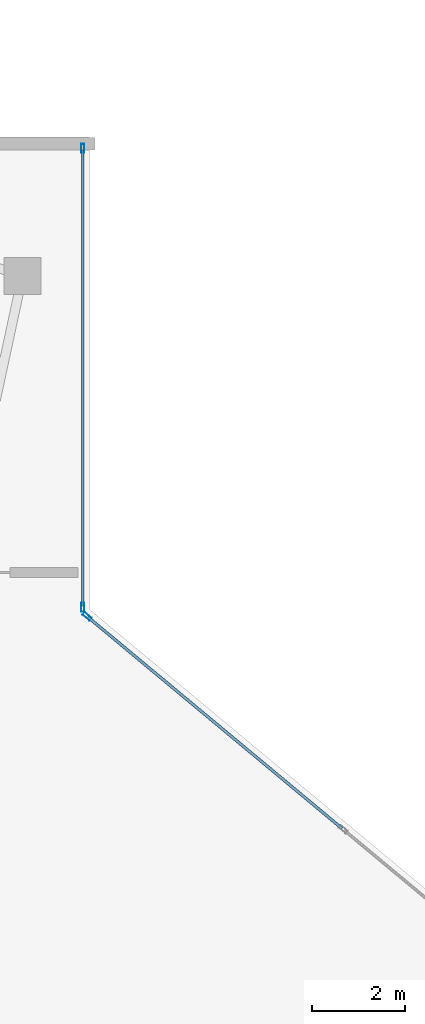
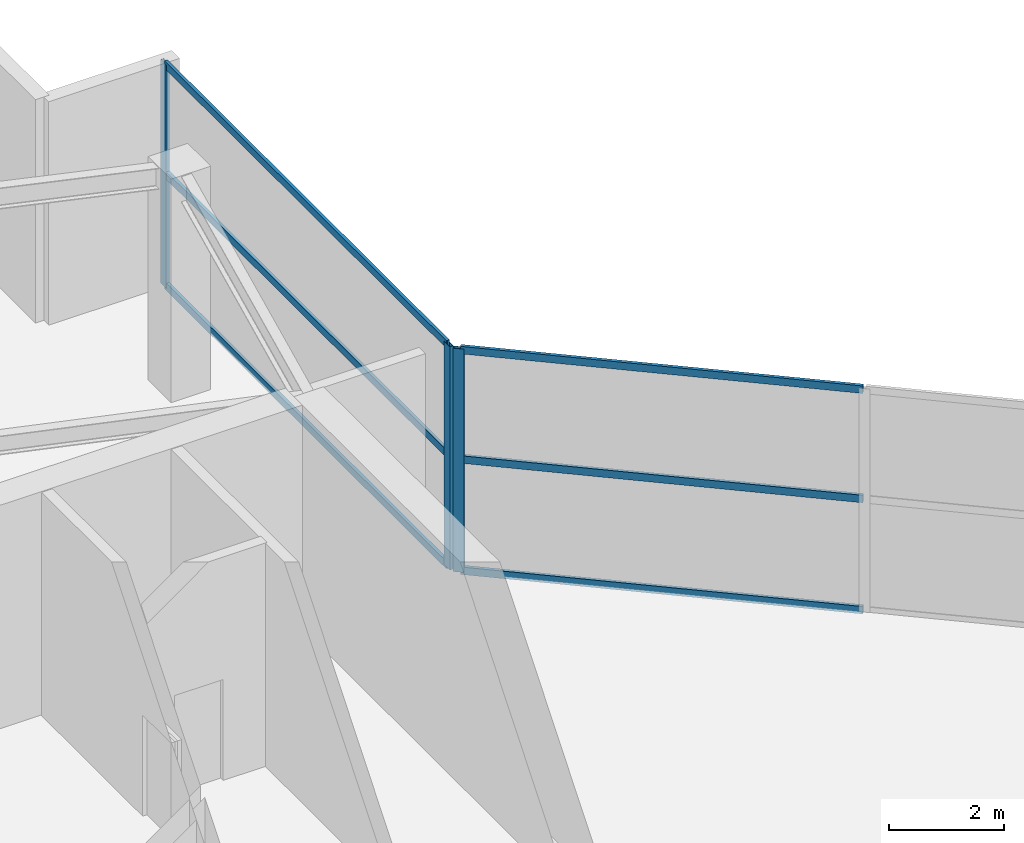
# One storey, part 17 of 21: 9 members, 2 elements without a shape of their own.
"""IFC4 building model written with IfcOpenShell, lengths in metres."""

from ifc_helpers import new_model, si_unit, direction, frame, origin, origin_2d, place, context, subcontext, project, spatial, hollow_rectangle, extrude, material, layer, layer_set, material_profile, profile_set, type_object, element, aggregate, save


model = new_model("IFC4")

# Units and contexts
model_context = context("Model", 3, precision=1e-05, world=origin(), true_north=direction((0.0, 1.0)))
body_context = subcontext(model_context, "Body", "Model", "MODEL_VIEW")
ifc_project = project(units=[si_unit("LENGTHUNIT", "METRE"), si_unit("AREAUNIT", "SQUARE_METRE"), si_unit("VOLUMEUNIT", "CUBIC_METRE"), si_unit("PLANEANGLEUNIT", "RADIAN"), si_unit("MASSUNIT", "GRAM", prefix="KILO")], contexts=[model_context])

# Site, building, storey
site_placement = place(None, origin())
site = spatial("IfcSite", under=ifc_project, at=site_placement, CompositionType="ELEMENT")
building_placement = place(site_placement, origin())
building = spatial("IfcBuilding", under=site, at=building_placement, Name="Calvorn Quay Hotel", CompositionType="ELEMENT")
storey_placement = place(building_placement, frame((0.0, 0.0, 320.5)))
storey = spatial("IfcBuildingStorey", under=building, at=storey_placement, Name="L79", CompositionType="ELEMENT", Elevation=320.5)

# Curtain wall, member
ifc_material_1 = material(Name="Pale Anodised Aluminium and Laminated Glass", Category="aluminium")
ifc_layer = layer(ifc_material_1, 0.219970703125)
ifc_layer_set = layer_set([ifc_layer], Name="CW-SYS-CRN")
curtain_wall_type = type_object("IfcCurtainWallType", Name="CW-SYS-CRN", PredefinedType="NOTDEFINED", material=ifc_layer_set)
curtain_wall_1_placement = place(storey_placement, origin())
curtain_wall_1 = element("IfcCurtainWall", 1, at=curtain_wall_1_placement, inside=storey, type_object=curtain_wall_type, Name="Crown Curtain Wall L79-C3", PredefinedType="NOTDEFINED")
ifc_material_2 = material(Name="Pale Anodised Aluminium 6063-T6", Category="aluminium")
ifc_material_profile_1 = material_profile(ifc_material_2, hollow_rectangle(XDim=0.072021484375, YDim=0.195068359375, WallThickness=0.00390625, at=origin_2d()), Name="ALU-M195x72x4")
ifc_profile_set_1 = profile_set([ifc_material_profile_1], Name="Pale Anodised Aluminium 6063-T6")
member_type_1 = type_object("IfcMemberType", Name="CW-SYS-CRN-MUL", PredefinedType="MULLION", material=ifc_profile_set_1)
member_1_placement = place(storey_placement, frame((17.942138671875, 38.2529296875, 0.0), z_axis=(0.0, 0.0, 1.0), x_axis=(-0.639416422391, -0.768860610759, 0.0)))
member_1 = element("IfcMember", 2, at=member_1_placement, type_object=member_type_1, Name="CW-L79-C3 mullion 4", PredefinedType="MULLION", context=body_context, shape_type="SweptSolid", body=[
    extrude(hollow_rectangle(XDim=0.072021484375, YDim=0.195068359375, WallThickness=0.00390625, at=origin_2d()), origin(), (0.0, 0.0, 1.0), 4.760009765625),
])

# Curtain wall, members
curtain_wall_2_placement = place(storey_placement, origin())
curtain_wall_2 = element("IfcCurtainWall", 3, at=curtain_wall_2_placement, inside=storey, type_object=curtain_wall_type, Name="Crown Curtain Wall L79-C4", PredefinedType="NOTDEFINED")
member_2_placement = place(storey_placement, frame((17.85009765625, 38.449951171875, 0.0), z_axis=(0.0, 0.0, 1.0), x_axis=(-1.0, 0.0, 0.0)))
member_2 = element("IfcMember", 4, at=member_2_placement, type_object=member_type_1, Name="CW-L79-C4 mullion 1", PredefinedType="MULLION", context=body_context, shape_type="SweptSolid", body=[
    extrude(hollow_rectangle(XDim=0.072021484375, YDim=0.195068359375, WallThickness=0.00390625, at=origin_2d()), origin(), (0.0, 0.0, 1.0), 4.760009765625),
])
member_3_placement = place(storey_placement, frame((17.85009765625, 48.35009765625, 0.0), z_axis=(0.0, 0.0, 1.0), x_axis=(-1.0, 0.0, 0.0)))
member_3 = element("IfcMember", 5, at=member_3_placement, type_object=member_type_1, Name="CW-L79-C4 mullion 2", PredefinedType="MULLION", context=body_context, shape_type="SweptSolid", body=[
    extrude(hollow_rectangle(XDim=0.072021484375, YDim=0.195068359375, WallThickness=0.00390625, at=origin_2d()), origin(), (0.0, 0.0, 1.0), 4.760009765625),
])

# Member
ifc_material_3 = material(Name="Pale Anodised Aluminium 6063-T6", Category="aluminium")
ifc_material_profile_2 = material_profile(ifc_material_3, hollow_rectangle(XDim=0.06201171875, YDim=0.159912109375, WallThickness=0.00341796875, at=origin_2d()), Name="ALU-T160x62x3.5")
ifc_profile_set_2 = profile_set([ifc_material_profile_2], Name="Pale Anodised Aluminium 6063-T6")
member_type_2 = type_object("IfcMemberType", Name="CW-SYS-CRN-TRN", PredefinedType="USERDEFINED", material=ifc_profile_set_2)
member_4_placement = place(storey_placement, frame((23.445556640625, 33.67578125, 0.030029296875), z_axis=(-0.768855378909, 0.639422713331, 0.0), x_axis=(-0.639422713331, -0.768855378909, 0.0)))
member_4 = element("IfcMember", 6, at=member_4_placement, type_object=member_type_2, Name="CW-L79-C3 transom 3.1", ObjectType="TRANSOM", PredefinedType="USERDEFINED", context=body_context, shape_type="SweptSolid", body=[
    extrude(hollow_rectangle(XDim=0.06201171875, YDim=0.159912109375, WallThickness=0.00341796875, at=origin_2d()), origin(), (0.0, 0.0, 1.0), 7.128173828125),
])

member_5_placement = place(storey_placement, frame((23.445556640625, 33.67578125, 2.39990234375), z_axis=(-0.768855378909, 0.639422713331, 0.0), x_axis=(-0.639422713331, -0.768855378909, 0.0)))
member_5 = element("IfcMember", 7, at=member_5_placement, type_object=member_type_2, Name="CW-L79-C3 transom 3.2", ObjectType="TRANSOM", PredefinedType="USERDEFINED", context=body_context, shape_type="SweptSolid", body=[
    extrude(hollow_rectangle(XDim=0.06201171875, YDim=0.159912109375, WallThickness=0.00341796875, at=origin_2d()), origin(), (0.0, 0.0, 1.0), 7.128173828125),
])

member_6_placement = place(storey_placement, frame((23.445556640625, 33.67578125, 4.72998046875), z_axis=(-0.768855378909, 0.639422713331, 0.0), x_axis=(-0.639422713331, -0.768855378909, 0.0)))
member_6 = element("IfcMember", 8, at=member_6_placement, type_object=member_type_2, Name="CW-L79-C3 transom 3.3", ObjectType="TRANSOM", PredefinedType="USERDEFINED", context=body_context, shape_type="SweptSolid", body=[
    extrude(hollow_rectangle(XDim=0.06201171875, YDim=0.159912109375, WallThickness=0.00341796875, at=origin_2d()), origin(), (0.0, 0.0, 1.0), 7.128173828125),
])

aggregate(curtain_wall_1, [member_1, member_4, member_5, member_6])

member_7_placement = place(storey_placement, frame((17.85009765625, 38.47998046875, 0.030029296875), z_axis=(0.0, 1.0, 0.0), x_axis=(-1.0, 0.0, 0.0)))
member_7 = element("IfcMember", 9, at=member_7_placement, type_object=member_type_2, Name="CW-L79-C4 transom 1.1", ObjectType="TRANSOM", PredefinedType="USERDEFINED", context=body_context, shape_type="SweptSolid", body=[
    extrude(hollow_rectangle(XDim=0.06201171875, YDim=0.159912109375, WallThickness=0.00341796875, at=origin_2d()), origin(), (0.0, 0.0, 1.0), 9.840087890625),
])

member_8_placement = place(storey_placement, frame((17.85009765625, 38.47998046875, 2.39990234375), z_axis=(0.0, 1.0, 0.0), x_axis=(-1.0, 0.0, 0.0)))
member_8 = element("IfcMember", 10, at=member_8_placement, type_object=member_type_2, Name="CW-L79-C4 transom 1.2", ObjectType="TRANSOM", PredefinedType="USERDEFINED", context=body_context, shape_type="SweptSolid", body=[
    extrude(hollow_rectangle(XDim=0.06201171875, YDim=0.159912109375, WallThickness=0.00341796875, at=origin_2d()), origin(), (0.0, 0.0, 1.0), 9.840087890625),
])

member_9_placement = place(storey_placement, frame((17.85009765625, 38.47998046875, 4.72998046875), z_axis=(0.0, 1.0, 0.0), x_axis=(-1.0, 0.0, 0.0)))
member_9 = element("IfcMember", 11, at=member_9_placement, type_object=member_type_2, Name="CW-L79-C4 transom 1.3", ObjectType="TRANSOM", PredefinedType="USERDEFINED", context=body_context, shape_type="SweptSolid", body=[
    extrude(hollow_rectangle(XDim=0.06201171875, YDim=0.159912109375, WallThickness=0.00341796875, at=origin_2d()), origin(), (0.0, 0.0, 1.0), 9.840087890625),
])

aggregate(curtain_wall_2, [member_2, member_3, member_7, member_8, member_9])

save(model, "model.ifc")
